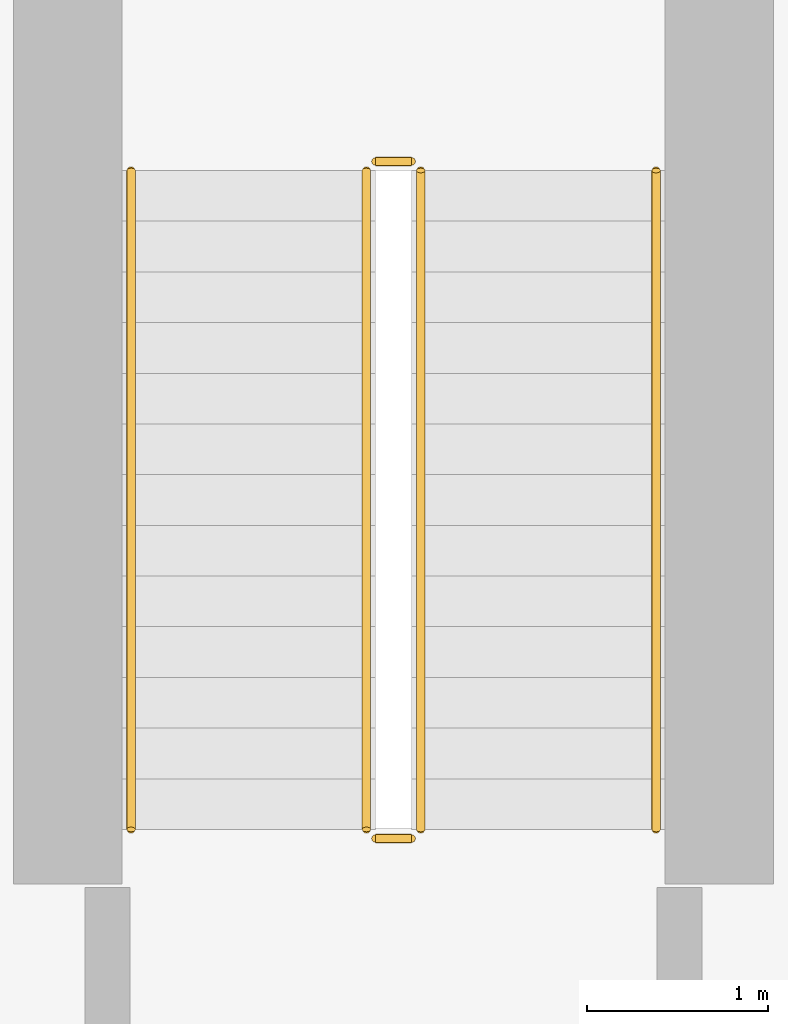
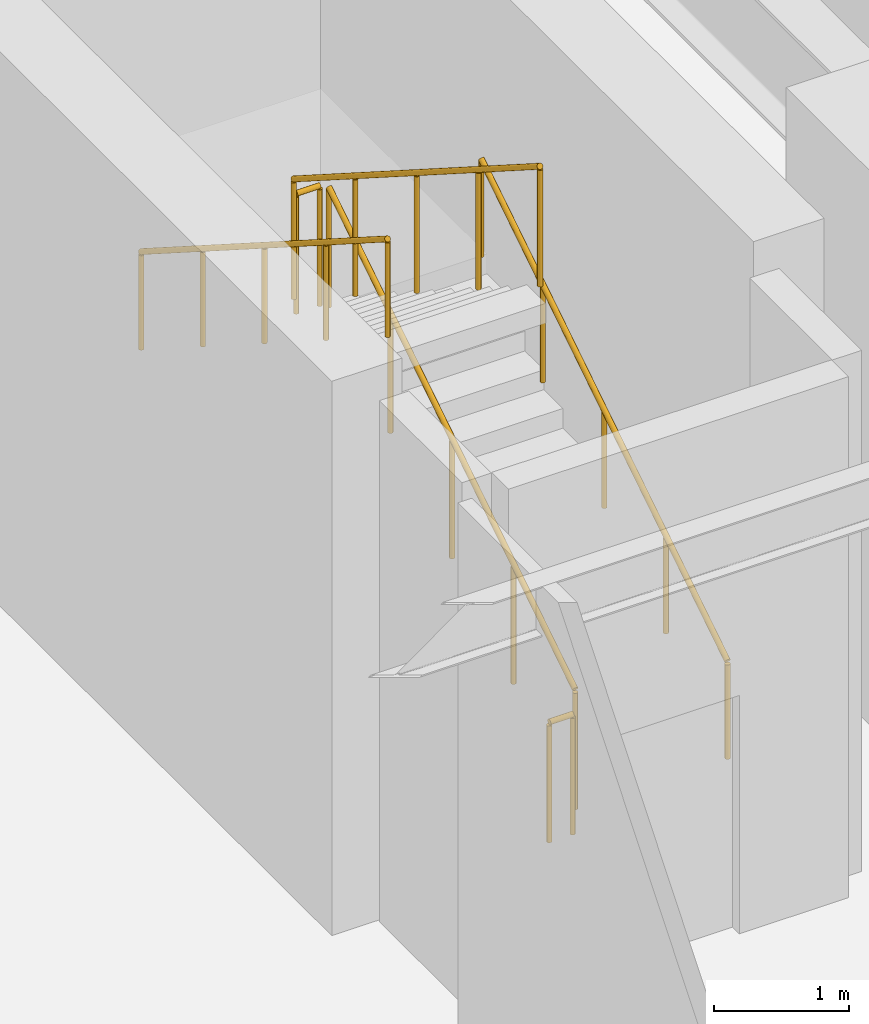
# One storey, part 12 of 12: 6 railings.
"""IFC4 building model written with IfcOpenShell, lengths in metres."""

from ifc_helpers import new_model, si_unit, direction, frame, origin, origin_2d, place, context, subcontext, project, spatial, circle, extrude, material, type_object, element, save


model = new_model("IFC4")

# Units and contexts
model_context = context("Model", 3, precision=1e-05, world=origin(), true_north=direction((0.0, 1.0)))
body_context = subcontext(model_context, "Body", "Model", "MODEL_VIEW")
ifc_project = project(units=[si_unit("LENGTHUNIT", "METRE"), si_unit("AREAUNIT", "SQUARE_METRE"), si_unit("VOLUMEUNIT", "CUBIC_METRE"), si_unit("PLANEANGLEUNIT", "RADIAN"), si_unit("MASSUNIT", "GRAM", prefix="KILO")], contexts=[model_context])

# Site, building, storey
site_placement = place(None, origin())
site = spatial("IfcSite", under=ifc_project, at=site_placement, CompositionType="ELEMENT")
building_placement = place(site_placement, origin())
building = spatial("IfcBuilding", under=site, at=building_placement, Name="Quenlor Broadcast Tower", CompositionType="ELEMENT")
storey_placement = place(building_placement, frame((0.0, 0.0, -5.0)))
storey = spatial("IfcBuildingStorey", under=building, at=storey_placement, Name="B01", CompositionType="ELEMENT", Elevation=-5.0)

# Railings
ifc_material_1 = material(Name="Anodised Aluminium", Category="aluminium")
railing_type_1 = type_object("IfcRailingType", Name="Stainless Aluminium Wall Handrail 900", PredefinedType="HANDRAIL", material=ifc_material_1)
railing_1_placement = place(storey_placement, frame((32.550048828125, 14.5, 0.178466796875)))
element("IfcRailing", 1, at=railing_1_placement, inside=storey, type_object=railing_type_1, Name="B01 ST-4 stair handrail 1", PredefinedType="HANDRAIL", context=body_context, shape_type="SweptSolid", body=[
    extrude(circle(Radius=0.02392578125, at=origin_2d()), frame((0.0, 0.0, 0.8759765625), z_axis=(0.0, 0.843111507901, 0.53773877045), x_axis=(-1.0, 0.0, 0.0)), (0.0, 0.0, 1.0), 4.317138671875),
    extrude(circle(Radius=0.02099609375, at=origin_2d()), origin(), (0.0, 0.0, 1.0), 0.851806640625),
    extrude(circle(Radius=0.02099609375, at=origin_2d()), frame((0.0, 0.909912109375, 0.580322265625)), (0.0, 0.0, 1.0), 0.851806640625),
    extrude(circle(Radius=0.02099609375, at=origin_2d()), frame((0.0, 1.81982421875, 1.16064453125)), (0.0, 0.0, 1.0), 0.851806640625),
    extrude(circle(Radius=0.02099609375, at=origin_2d()), frame((0.0, 2.72998046875, 1.7412109375)), (0.0, 0.0, 1.0), 0.851806640625),
    extrude(circle(Radius=0.02099609375, at=origin_2d()), frame((0.0, 3.639892578125, 2.321533203125)), (0.0, 0.0, 1.0), 0.851806640625),
])
railing_2_placement = place(storey_placement, frame((29.64990234375, 18.139892578125, 2.678466796875)))
element("IfcRailing", 2, at=railing_2_placement, inside=storey, type_object=railing_type_1, Name="B01 ST-4 stair handrail 2", PredefinedType="HANDRAIL", context=body_context, shape_type="SweptSolid", body=[
    extrude(circle(Radius=0.02392578125, at=origin_2d()), frame((0.0, 0.0, 0.8759765625), z_axis=(0.0, -0.843111507901, 0.53773877045), x_axis=(1.0, 0.0, 0.0)), (0.0, 0.0, 1.0), 4.317138671875),
    extrude(circle(Radius=0.02099609375, at=origin_2d()), origin(), (0.0, 0.0, 1.0), 0.851806640625),
    extrude(circle(Radius=0.02099609375, at=origin_2d()), frame((0.0, -0.909912109375, 0.580322265625)), (0.0, 0.0, 1.0), 0.851806640625),
    extrude(circle(Radius=0.02099609375, at=origin_2d()), frame((0.0, -1.81982421875, 1.16064453125)), (0.0, 0.0, 1.0), 0.851806640625),
    extrude(circle(Radius=0.02099609375, at=origin_2d()), frame((0.0, -2.72998046875, 1.7412109375)), (0.0, 0.0, 1.0), 0.851806640625),
    extrude(circle(Radius=0.02099609375, at=origin_2d()), frame((0.0, -3.639892578125, 2.321533203125)), (0.0, 0.0, 1.0), 0.851806640625),
])
ifc_material_2 = material(Name="Steel S355", Category="steel")
railing_type_2 = type_object("IfcRailingType", Name="Tubular Steel S355 Stair Guardrail 1100", PredefinedType="BALUSTRADE", material=ifc_material_2)
railing_3_placement = place(storey_placement, frame((31.25, 14.5, 0.178466796875)))
element("IfcRailing", 3, at=railing_3_placement, inside=storey, type_object=railing_type_2, Name="B01 ST-4 stair guard 1", PredefinedType="BALUSTRADE", context=body_context, shape_type="SweptSolid", body=[
    extrude(circle(Radius=0.02392578125, at=origin_2d()), frame((0.0, 0.0, 1.076171875), z_axis=(0.0, 0.843111507901, 0.53773877045), x_axis=(-1.0, 0.0, 0.0)), (0.0, 0.0, 1.0), 4.317138671875),
    extrude(circle(Radius=0.02099609375, at=origin_2d()), origin(), (0.0, 0.0, 1.0), 1.052001953125),
    extrude(circle(Radius=0.02099609375, at=origin_2d()), frame((0.0, 0.909912109375, 0.580322265625)), (0.0, 0.0, 1.0), 1.052001953125),
    extrude(circle(Radius=0.02099609375, at=origin_2d()), frame((0.0, 1.81982421875, 1.16064453125)), (0.0, 0.0, 1.0), 1.052001953125),
    extrude(circle(Radius=0.02099609375, at=origin_2d()), frame((0.0, 2.72998046875, 1.7412109375)), (0.0, 0.0, 1.0), 1.052001953125),
    extrude(circle(Radius=0.02099609375, at=origin_2d()), frame((0.0, 3.639892578125, 2.321533203125)), (0.0, 0.0, 1.0), 1.052001953125),
])
railing_4_placement = place(storey_placement, frame((31.199951171875, 18.18994140625, 2.5)))
element("IfcRailing", 4, at=railing_4_placement, inside=storey, type_object=railing_type_2, Name="B01 ST-4 stair guard 2", PredefinedType="BALUSTRADE", context=body_context, shape_type="SweptSolid", body=[
    extrude(circle(Radius=0.02392578125, at=origin_2d()), frame((0.0, 0.0, 1.076171875), z_axis=(-1.0, 0.0, 0.0), x_axis=(0.0, -1.0, 0.0)), (0.0, 0.0, 1.0), 0.199951171875),
    extrude(circle(Radius=0.02099609375, at=origin_2d()), origin(), (0.0, 0.0, 1.0), 1.052001953125),
    extrude(circle(Radius=0.02099609375, at=origin_2d()), frame((-0.199951171875, 0.0, 0.0)), (0.0, 0.0, 1.0), 1.052001953125),
])
railing_5_placement = place(storey_placement, frame((30.949951171875, 18.139892578125, 2.678466796875)))
element("IfcRailing", 5, at=railing_5_placement, inside=storey, type_object=railing_type_2, Name="B01 ST-4 stair guard 3", PredefinedType="BALUSTRADE", context=body_context, shape_type="SweptSolid", body=[
    extrude(circle(Radius=0.02392578125, at=origin_2d()), frame((0.0, 0.0, 1.076171875), z_axis=(0.0, -0.843111507901, 0.53773877045), x_axis=(1.0, 0.0, 0.0)), (0.0, 0.0, 1.0), 4.317138671875),
    extrude(circle(Radius=0.02099609375, at=origin_2d()), origin(), (0.0, 0.0, 1.0), 1.052001953125),
    extrude(circle(Radius=0.02099609375, at=origin_2d()), frame((0.0, -0.909912109375, 0.580322265625)), (0.0, 0.0, 1.0), 1.052001953125),
    extrude(circle(Radius=0.02099609375, at=origin_2d()), frame((0.0, -1.81982421875, 1.16064453125)), (0.0, 0.0, 1.0), 1.052001953125),
    extrude(circle(Radius=0.02099609375, at=origin_2d()), frame((0.0, -2.72998046875, 1.7412109375)), (0.0, 0.0, 1.0), 1.052001953125),
    extrude(circle(Radius=0.02099609375, at=origin_2d()), frame((0.0, -3.639892578125, 2.321533203125)), (0.0, 0.0, 1.0), 1.052001953125),
])
railing_6_placement = place(storey_placement, frame((31.199951171875, 14.449951171875, 0.0)))
element("IfcRailing", 6, at=railing_6_placement, inside=storey, type_object=railing_type_2, Name="B01 ST-4 stair guard 4", PredefinedType="BALUSTRADE", context=body_context, shape_type="SweptSolid", body=[
    extrude(circle(Radius=0.02392578125, at=origin_2d()), frame((0.0, 0.0, 1.076171875), z_axis=(-1.0, 0.0, 0.0), x_axis=(0.0, -1.0, 0.0)), (0.0, 0.0, 1.0), 0.199951171875),
    extrude(circle(Radius=0.02099609375, at=origin_2d()), origin(), (0.0, 0.0, 1.0), 1.052001953125),
    extrude(circle(Radius=0.02099609375, at=origin_2d()), frame((-0.199951171875, 0.0, 0.0)), (0.0, 0.0, 1.0), 1.052001953125),
])

save(model, "model.ifc")
